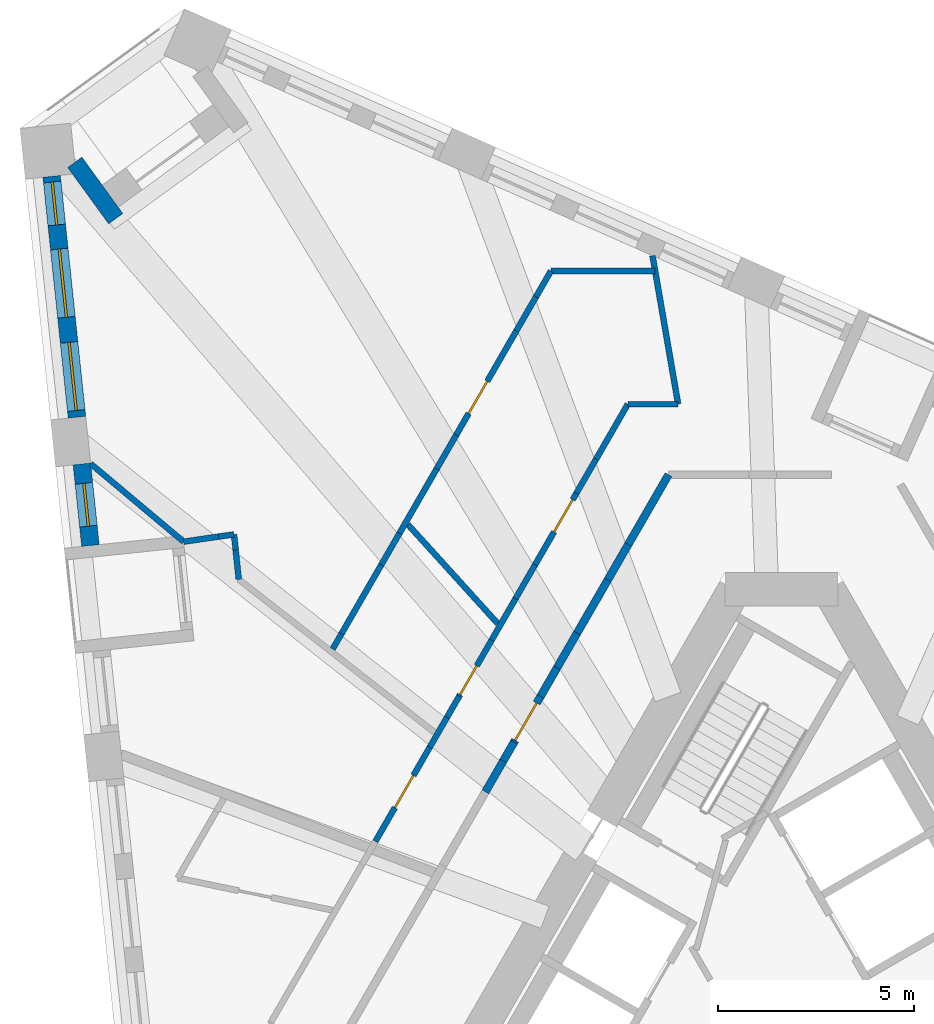
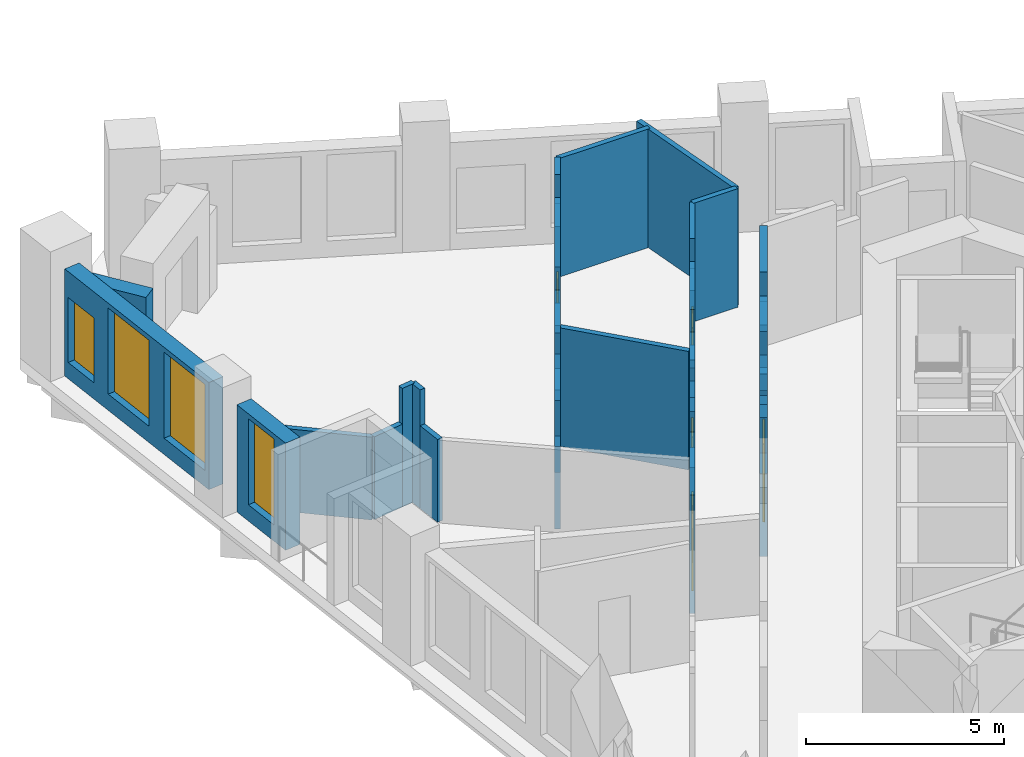
# One storey, part 7 of 14: 37 walls, 5 doors, 4 windows, 9 openings.
"""IFC4 building model written with IfcOpenShell, lengths in metres."""

from ifc_helpers import new_model, si_unit, direction, frame, frame_2d, origin, place, context, subcontext, project, spatial, polyline, rectangle, outline, extrude, material, layer, layer_set, type_object, element, fill, save


model = new_model("IFC4")

# Units and contexts
model_context = context("Model", 3, precision=1e-05, world=origin(), true_north=direction((0.0, 1.0)))
body_context = subcontext(model_context, "Body", "Model", "MODEL_VIEW")
ifc_project = project(units=[si_unit("LENGTHUNIT", "METRE"), si_unit("AREAUNIT", "SQUARE_METRE"), si_unit("VOLUMEUNIT", "CUBIC_METRE"), si_unit("PLANEANGLEUNIT", "RADIAN"), si_unit("MASSUNIT", "GRAM", prefix="KILO")], contexts=[model_context])

# Site, building, storey
site_placement = place(None, origin())
site = spatial("IfcSite", under=ifc_project, at=site_placement, CompositionType="ELEMENT")
building_placement = place(site_placement, origin())
building = spatial("IfcBuilding", under=site, at=building_placement, Name="Tramontana Tower", CompositionType="ELEMENT")
storey_placement = place(building_placement, frame((0.0, 0.0, 186.800048828125)))
storey = spatial("IfcBuildingStorey", under=building, at=storey_placement, Name="L43", CompositionType="ELEMENT", Elevation=186.800048828125)

# Walls
ifc_material_1 = material(Name="Blockwork", Category="masonry")
ifc_layer_1 = layer(ifc_material_1, 0.199951171875)
ifc_layer_set_1 = layer_set([ifc_layer_1], Name="ENTRY WALL 200")
wall_type_1 = type_object("IfcWallType", Name="ENTRY WALL 200", PredefinedType="SOLIDWALL", material=ifc_layer_set_1)
wall_1_placement = place(storey_placement, frame((-7.561279296875, 5.403564453125, 0.0), z_axis=(0.0, 0.0, 1.0), x_axis=(0.499977996243, 0.866038107287, 0.0)))
element("IfcWall", 1, at=wall_1_placement, inside=storey, type_object=wall_type_1, Name="Wall v42-ew4-5", PredefinedType="SOLIDWALL", context=body_context, shape_type="SweptSolid", body=[
    extrude(rectangle(XDim=0.90966796875, YDim=0.199951171875, at=frame_2d((0.454833984375, 0.0))), origin(), (0.0, 0.0, 1.0), 2.550048828125),
])
wall_2_placement = place(storey_placement, frame((-7.1064453125, 6.19140625, 0.0), z_axis=(0.0, 0.0, 1.0), x_axis=(0.499986818241, 0.866033014143, 0.0)))
element("IfcWall", 2, at=wall_2_placement, inside=storey, type_object=wall_type_1, Name="Wall v42-ew4-6", PredefinedType="SOLIDWALL", context=body_context, shape_type="SweptSolid", body=[
    extrude(rectangle(XDim=0.5595703125, YDim=0.199951171875, at=frame_2d((0.27978515625, 0.0))), origin(), (0.0, 0.0, 1.0), 3.64990234375),
])

# Wall, opening, door
wall_3_placement = place(storey_placement, frame((-6.82666015625, 6.676025390625, 0.0), z_axis=(0.0, 0.0, 1.0), x_axis=(0.500062873969, 0.865989100438, 0.0)))
wall_3 = element("IfcWall", 3, at=wall_3_placement, inside=storey, type_object=wall_type_1, Name="Wall v42-ew4-7", PredefinedType="SOLIDWALL", context=body_context, shape_type="SweptSolid", body=[
    extrude(outline(polyline([(0.0, 0.0), (1.344970703125, 0.0), (1.344970703125, 2.550048828125), (0.391357421875, 2.550048828125), (0.391357421875, 3.64990234375), (0.0, 3.64990234375), (0.0, 0.0)])), frame((0.0, 0.10009765625, 0.0), z_axis=(0.0, -1.0, 0.0), x_axis=(1.0, 0.0, 0.0)), (0.0, 0.0, 1.0), 0.199951171875),
])
opening_1_placement = place(wall_3_placement, frame((0.050048828125, 0.0, 0.0)))
opening_1 = element("IfcOpeningElement", 4, at=opening_1_placement, cuts=wall_3, Name="Opening B4C-19", PredefinedType="OPENING", context=body_context, shape_type="SweptSolid", body=[
    extrude(rectangle(XDim=1.10009765625, YDim=2.39990234375, at=frame_2d((0.550048828125, 1.199951171875))), frame((0.0, 0.10986328125, 0.0), z_axis=(0.0, -1.0, 0.0), x_axis=(1.0, 0.0, 0.0)), (0.0, 0.0, 1.0), 0.219970703125),
])
ifc_material_2 = material(Name="Painted timber", Category="wood")
door_type_1 = type_object("IfcDoorType", Name="DOOR ENTRY 1100", OperationType="SINGLE_SWING_LEFT", PredefinedType="DOOR", material=ifc_material_2)
door_1_placement = place(opening_1_placement, origin())
door_1 = element("IfcDoor", 5, at=door_1_placement, inside=storey, type_object=door_type_1, Name="Door B4C-19", OperationType="SINGLE_SWING_LEFT", OverallHeight=2.39990234375, OverallWidth=1.10009765625, PredefinedType="DOOR", context=body_context, shape_type="SweptSolid", body=[
    extrude(rectangle(XDim=1.10009765625, YDim=2.39990234375, at=frame_2d((0.550048828125, 1.199951171875))), frame((0.0, 0.02490234375, 0.0), z_axis=(0.0, -1.0, 0.0), x_axis=(1.0, 0.0, 0.0)), (0.0, 0.0, 1.0), 0.050048828125),
])
fill(opening_1, door_1)

# Walls
wall_4_placement = place(storey_placement, frame((-6.154052734375, 7.8408203125, 0.0), z_axis=(0.0, 0.0, 1.0), x_axis=(0.499822960955, 0.8661275932, 0.0)))
element("IfcWall", 6, at=wall_4_placement, inside=storey, type_object=wall_type_1, Name="Wall v42-ew4-8", PredefinedType="SOLIDWALL", context=body_context, shape_type="SweptSolid", body=[
    extrude(rectangle(XDim=0.841064453125, YDim=0.199951171875, at=frame_2d((0.42041015625, 0.0))), origin(), (0.0, 0.0, 1.0), 3.64990234375),
])
wall_5_placement = place(storey_placement, frame((-5.733642578125, 8.5693359375, 0.0), z_axis=(0.0, 0.0, 1.0), x_axis=(0.500079402778, 0.865979555715, 0.0)))
element("IfcWall", 7, at=wall_5_placement, inside=storey, type_object=wall_type_1, Name="Wall v42-ew4-9", PredefinedType="SOLIDWALL", context=body_context, shape_type="SweptSolid", body=[
    extrude(rectangle(XDim=1.026123046875, YDim=0.199951171875, at=frame_2d((0.51318359375, 0.0))), origin(), (0.0, 0.0, 1.0), 2.550048828125),
])
wall_6_placement = place(storey_placement, frame((-5.220458984375, 9.4580078125, 0.0), z_axis=(0.0, 0.0, 1.0), x_axis=(0.500031717574, 0.86600709086, 0.0)))
element("IfcWall", 8, at=wall_6_placement, inside=storey, type_object=wall_type_1, Name="Wall v42-ew4-10", PredefinedType="SOLIDWALL", context=body_context, shape_type="SweptSolid", body=[
    extrude(rectangle(XDim=1.57177734375, YDim=0.199951171875, at=frame_2d((0.785888671875, 0.0))), origin(), (0.0, 0.0, 1.0), 3.64990234375),
])
wall_7_placement = place(storey_placement, frame((-4.4345703125, 10.819091796875, 0.0), z_axis=(0.0, 0.0, 1.0), x_axis=(0.500054530113, 0.86599391852, 0.0)))
element("IfcWall", 9, at=wall_7_placement, inside=storey, type_object=wall_type_1, Name="Wall v42-ew4-11", PredefinedType="SOLIDWALL", context=body_context, shape_type="SweptSolid", body=[
    extrude(rectangle(XDim=1.03955078125, YDim=0.199951171875, at=frame_2d((0.519775390625, 0.0))), origin(), (0.0, 0.0, 1.0), 2.75),
])
wall_8_placement = place(storey_placement, frame((-3.914794921875, 11.71923828125, 0.0), z_axis=(0.0, 0.0, 1.0), x_axis=(0.499982825521, 0.866035319247, 0.0)))
element("IfcWall", 10, at=wall_8_placement, inside=storey, type_object=wall_type_1, Name="Wall v42-ew4-12", PredefinedType="SOLIDWALL", context=body_context, shape_type="SweptSolid", body=[
    extrude(rectangle(XDim=2.05615234375, YDim=0.199951171875, at=frame_2d((1.028076171875, 0.0))), origin(), (0.0, 0.0, 1.0), 3.64990234375),
])

# Wall, openings, windows
ifc_material_3 = material(Name="Precast concrete 60 MPa", Category="concrete")
ifc_layer_2 = layer(ifc_material_3, 0.449951171875)
ifc_layer_set_2 = layer_set([ifc_layer_2], Name="Precast concrete 60 MPa, 450 mm")
wall_type_2 = type_object("IfcWallType", Name="EW1 Stone-faced precast wall 450", PredefinedType="SOLIDWALL", material=ifc_layer_set_2)
wall_9_placement = place(storey_placement, frame((-18.63427734375, 21.116455078125, 0.0), z_axis=(0.0, 0.0, 1.0), x_axis=(0.104522399115, -0.994522532718, 0.0)))
wall_9 = element("IfcWall", 11, at=wall_9_placement, inside=storey, type_object=wall_type_2, Name="External wall L43 face 0 bay 1", PredefinedType="SOLIDWALL", context=body_context, shape_type="SweptSolid", body=[
    extrude(rectangle(XDim=6.182861328125, YDim=0.449951171875, at=frame_2d((3.09130859375, 0.0))), origin(), (0.0, 0.0, 1.0), 3.300048828125),
])
opening_2_placement = place(wall_9_placement, frame((0.147216796875, 0.0, 0.5)))
opening_2 = element("IfcOpeningElement", 12, at=opening_2_placement, cuts=wall_9, Name="Opening N2L", PredefinedType="OPENING", context=body_context, shape_type="SweptSolid", body=[
    extrude(rectangle(XDim=1.10009765625, YDim=2.0, at=frame_2d((0.550048828125, 1.0))), frame((0.0, 0.23486328125, 0.0), z_axis=(0.0, -1.0, 0.0), x_axis=(1.0, 0.0, 0.0)), (0.0, 0.0, 1.0), 0.469970703125),
])
opening_3_placement = place(wall_9_placement, frame((1.866455078125, 0.0, 0.5)))
opening_3 = element("IfcOpeningElement", 13, at=opening_3_placement, cuts=wall_9, Name="Opening M2", PredefinedType="OPENING", context=body_context, shape_type="SweptSolid", body=[
    extrude(rectangle(XDim=1.75, YDim=2.64990234375, at=frame_2d((0.875, 1.324951171875))), frame((0.0, 0.23486328125, 0.0), z_axis=(0.0, -1.0, 0.0), x_axis=(1.0, 0.0, 0.0)), (0.0, 0.0, 1.0), 0.469970703125),
])
opening_4_placement = place(wall_9_placement, frame((4.2607421875, 0.0, 0.5)))
opening_4 = element("IfcOpeningElement", 14, at=opening_4_placement, cuts=wall_9, Name="Opening M2", PredefinedType="OPENING", context=body_context, shape_type="SweptSolid", body=[
    extrude(rectangle(XDim=1.75, YDim=2.64990234375, at=frame_2d((0.875, 1.324951171875))), frame((0.0, 0.23486328125, 0.0), z_axis=(0.0, -1.0, 0.0), x_axis=(1.0, 0.0, 0.0)), (0.0, 0.0, 1.0), 0.469970703125),
])
ifc_material_4 = material(Name="Aluminum frame, double glazing unit", Category="aluminium")
window_type_1 = type_object("IfcWindowType", Name="M2 Window 1.75 x 2.65", PartitioningType="SINGLE_PANEL", PredefinedType="WINDOW", material=ifc_material_4)
window_1_placement = place(opening_3_placement, origin())
window_1 = element("IfcWindow", 15, at=window_1_placement, inside=storey, type_object=window_type_1, Name="Window M2 L43 face 0 module 2", OverallHeight=2.64990234375, OverallWidth=1.75, PartitioningType="SINGLE_PANEL", PredefinedType="WINDOW", context=body_context, shape_type="SweptSolid", body=[
    extrude(rectangle(XDim=1.75, YDim=2.64990234375, at=frame_2d((0.875, 1.324951171875))), frame((0.0, 0.030029296875, 0.0), z_axis=(0.0, -1.0, 0.0), x_axis=(1.0, 0.0, 0.0)), (0.0, 0.0, 1.0), 0.06005859375),
])
fill(opening_3, window_1)
window_2_placement = place(opening_4_placement, origin())
window_2 = element("IfcWindow", 16, at=window_2_placement, inside=storey, type_object=window_type_1, Name="Window M2 L43 face 0 module 3", OverallHeight=2.64990234375, OverallWidth=1.75, PartitioningType="SINGLE_PANEL", PredefinedType="WINDOW", context=body_context, shape_type="SweptSolid", body=[
    extrude(rectangle(XDim=1.75, YDim=2.64990234375, at=frame_2d((0.875, 1.324951171875))), frame((0.0, 0.030029296875, 0.0), z_axis=(0.0, -1.0, 0.0), x_axis=(1.0, 0.0, 0.0)), (0.0, 0.0, 1.0), 0.06005859375),
])
fill(opening_4, window_2)
ifc_material_5 = material(Name="Aluminum frame, double glazing unit", Category="aluminium")
window_type_2 = type_object("IfcWindowType", Name="N2L Window 1.1 x 2", PartitioningType="SINGLE_PANEL", PredefinedType="WINDOW", material=ifc_material_5)
window_3_placement = place(opening_2_placement, origin())
window_3 = element("IfcWindow", 17, at=window_3_placement, inside=storey, type_object=window_type_2, Name="Window N2L L43 face 0 module 1", OverallHeight=2.0, OverallWidth=1.10009765625, PartitioningType="SINGLE_PANEL", PredefinedType="WINDOW", context=body_context, shape_type="SweptSolid", body=[
    extrude(rectangle(XDim=1.10009765625, YDim=2.0, at=frame_2d((0.550048828125, 1.0))), frame((0.0, 0.030029296875, 0.0), z_axis=(0.0, -1.0, 0.0), x_axis=(1.0, 0.0, 0.0)), (0.0, 0.0, 1.0), 0.06005859375),
])
fill(opening_2, window_3)

# Wall, opening, window
wall_10_placement = place(storey_placement, frame((-17.862548828125, 13.774169921875, 0.0), z_axis=(0.0, 0.0, 1.0), x_axis=(0.104442071108, -0.994530971756, 0.0)))
wall_10 = element("IfcWall", 18, at=wall_10_placement, inside=storey, type_object=wall_type_2, Name="External wall L43 face 0 bay 2", PredefinedType="SOLIDWALL", context=body_context, shape_type="SweptSolid", body=[
    extrude(rectangle(XDim=2.094482421875, YDim=0.449951171875, at=frame_2d((1.04736328125, 0.0))), origin(), (0.0, 0.0, 1.0), 3.300048828125),
])
opening_5_placement = place(wall_10_placement, frame((0.4970703125, 0.0, 0.5)))
opening_5 = element("IfcOpeningElement", 19, at=opening_5_placement, cuts=wall_10, Name="Opening N2", PredefinedType="OPENING", context=body_context, shape_type="SweptSolid", body=[
    extrude(rectangle(XDim=1.10009765625, YDim=2.64990234375, at=frame_2d((0.550048828125, 1.324951171875))), frame((0.0, 0.23486328125, 0.0), z_axis=(0.0, -1.0, 0.0), x_axis=(1.0, 0.0, 0.0)), (0.0, 0.0, 1.0), 0.469970703125),
])
ifc_material_6 = material(Name="Aluminum frame, double glazing unit", Category="aluminium")
window_type_3 = type_object("IfcWindowType", Name="N2 Window 1.1 x 2.65", PartitioningType="SINGLE_PANEL", PredefinedType="WINDOW", material=ifc_material_6)
window_4_placement = place(opening_5_placement, origin())
window_4 = element("IfcWindow", 20, at=window_4_placement, inside=storey, type_object=window_type_3, Name="Window N2 L43 face 0 module 4", OverallHeight=2.64990234375, OverallWidth=1.10009765625, PartitioningType="SINGLE_PANEL", PredefinedType="WINDOW", context=body_context, shape_type="SweptSolid", body=[
    extrude(rectangle(XDim=1.10009765625, YDim=2.64990234375, at=frame_2d((0.550048828125, 1.324951171875))), frame((0.0, 0.030029296875, 0.0), z_axis=(0.0, -1.0, 0.0), x_axis=(1.0, 0.0, 0.0)), (0.0, 0.0, 1.0), 0.06005859375),
])
fill(opening_5, window_4)

# Walls
wall_11_placement = place(storey_placement, frame((-18.04345703125, 21.474853515625, 0.0), z_axis=(0.0, 0.0, 1.0), x_axis=(0.587722853316, -0.809062326209, 0.0)))
element("IfcWall", 21, at=wall_11_placement, inside=storey, type_object=wall_type_2, Name="Corner loggia side wall L43 K40l", PredefinedType="SOLIDWALL", context=body_context, shape_type="SweptSolid", body=[
    extrude(rectangle(XDim=1.779052734375, YDim=0.449951171875, at=frame_2d((0.8896484375, 0.0))), origin(), (0.0, 0.0, 1.0), 2.550048828125),
])
ifc_material_7 = material(Name="Gypsum board partition")
ifc_layer_3 = layer(ifc_material_7, 0.14990234375)
ifc_layer_set_3 = layer_set([ifc_layer_3], Name="PARTITION 150")
wall_type_3 = type_object("IfcWallType", Name="PARTITION 150", PredefinedType="PARTITIONING", material=ifc_layer_set_3)
wall_12_placement = place(storey_placement, frame((-15.26611328125, 11.790283203125, 0.0), z_axis=(0.0, 0.0, 1.0), x_axis=(-0.766063729465, 0.642764624414, 0.0)))
element("IfcWall", 22, at=wall_12_placement, inside=storey, type_object=wall_type_3, Name="Wall v42-pw01-0", PredefinedType="PARTITIONING", context=body_context, shape_type="SweptSolid", body=[
    extrude(rectangle(XDim=3.0947265625, YDim=0.14990234375, at=frame_2d((1.54736328125, 0.0))), origin(), (0.0, 0.0, 1.0), 2.550048828125),
])

# Wall, opening, door
wall_13_placement = place(storey_placement, frame((-10.369384765625, 4.1396484375, 0.0), z_axis=(0.0, 0.0, 1.0), x_axis=(0.50000932403, 0.866020020486, 0.0)))
wall_13 = element("IfcWall", 23, at=wall_13_placement, inside=storey, type_object=wall_type_3, Name="Wall v42-pw02-4", PredefinedType="PARTITIONING", context=body_context, shape_type="SweptSolid", body=[
    extrude(rectangle(XDim=2.77490234375, YDim=0.14990234375, at=frame_2d((1.387451171875, 0.0))), origin(), (0.0, 0.0, 1.0), 3.64990234375),
])
opening_6_placement = place(wall_13_placement, frame((0.993896484375, 0.0, 0.0)))
opening_6 = element("IfcOpeningElement", 24, at=opening_6_placement, cuts=wall_13, Name="Opening B4C-04", PredefinedType="OPENING", context=body_context, shape_type="SweptSolid", body=[
    extrude(rectangle(XDim=0.949951171875, YDim=2.39990234375, at=frame_2d((0.47509765625, 1.199951171875))), frame((0.0, 0.0849609375, 0.0), z_axis=(0.0, -1.0, 0.0), x_axis=(1.0, 0.0, 0.0)), (0.0, 0.0, 1.0), 0.169921875),
])
ifc_material_8 = material(Name="Painted timber", Category="wood")
door_type_2 = type_object("IfcDoorType", Name="DOOR ROOM 950", OperationType="SINGLE_SWING_LEFT", PredefinedType="DOOR", material=ifc_material_8)
door_2_placement = place(opening_6_placement, origin())
door_2 = element("IfcDoor", 25, at=door_2_placement, inside=storey, type_object=door_type_2, Name="Door B4C-04", OperationType="SINGLE_SWING_RIGHT", OverallHeight=2.39990234375, OverallWidth=0.949951171875, PredefinedType="DOOR", context=body_context, shape_type="SweptSolid", body=[
    extrude(rectangle(XDim=0.949951171875, YDim=2.39990234375, at=frame_2d((0.47509765625, 1.199951171875))), frame((0.0, 0.02490234375, 0.0), z_axis=(0.0, -1.0, 0.0), x_axis=(1.0, 0.0, 0.0)), (0.0, 0.0, 1.0), 0.050048828125),
])
fill(opening_6, door_2)

# Walls
wall_14_placement = place(storey_placement, frame((-8.98193359375, 6.542724609375, 0.0), z_axis=(0.0, 0.0, 1.0), x_axis=(0.499969398072, 0.866043071095, 0.0)))
element("IfcWall", 26, at=wall_14_placement, inside=storey, type_object=wall_type_3, Name="Wall v42-pw02-5", PredefinedType="PARTITIONING", context=body_context, shape_type="SweptSolid", body=[
    extrude(rectangle(XDim=0.88427734375, YDim=0.14990234375, at=frame_2d((0.442138671875, 0.0))), origin(), (0.0, 0.0, 1.0), 2.550048828125),
])
wall_15_placement = place(storey_placement, frame((-8.539794921875, 7.30859375, 0.0), z_axis=(0.0, 0.0, 1.0), x_axis=(0.500007577232, 0.866021029023, 0.0)))
element("IfcWall", 27, at=wall_15_placement, inside=storey, type_object=wall_type_3, Name="Wall v42-pw02-6", PredefinedType="PARTITIONING", context=body_context, shape_type="SweptSolid", body=[
    extrude(rectangle(XDim=0.61767578125, YDim=0.14990234375, at=frame_2d((0.308837890625, 0.0))), origin(), (0.0, 0.0, 1.0), 3.64990234375),
])

# Wall, opening, door
wall_16_placement = place(storey_placement, frame((-8.23095703125, 7.843505859375, 0.0), z_axis=(0.0, 0.0, 1.0), x_axis=(0.499952654668, 0.866052736899, 0.0)))
wall_16 = element("IfcWall", 28, at=wall_16_placement, inside=storey, type_object=wall_type_3, Name="Wall v42-pw02-7", PredefinedType="PARTITIONING", context=body_context, shape_type="SweptSolid", body=[
    extrude(outline(polyline([(0.0, 0.0), (1.652587890625, 0.0), (1.652587890625, 2.550048828125), (0.7255859375, 2.550048828125), (0.7255859375, 3.64990234375), (0.0, 3.64990234375), (0.0, 0.0)])), frame((0.0, 0.074951171875, 0.0), z_axis=(0.0, -1.0, 0.0), x_axis=(1.0, 0.0, 0.0)), (0.0, 0.0, 1.0), 0.14990234375),
])
opening_7_placement = place(wall_16_placement, frame((0.050048828125, 0.0, 0.0)))
opening_7 = element("IfcOpeningElement", 29, at=opening_7_placement, cuts=wall_16, Name="Opening B4C-02", PredefinedType="OPENING", context=body_context, shape_type="SweptSolid", body=[
    extrude(rectangle(XDim=0.85009765625, YDim=2.39990234375, at=frame_2d((0.425048828125, 1.199951171875))), frame((0.0, 0.0849609375, 0.0), z_axis=(0.0, -1.0, 0.0), x_axis=(1.0, 0.0, 0.0)), (0.0, 0.0, 1.0), 0.169921875),
])
ifc_material_9 = material(Name="Painted timber", Category="wood")
door_type_3 = type_object("IfcDoorType", Name="DOOR BATH 850", OperationType="SINGLE_SWING_LEFT", PredefinedType="DOOR", material=ifc_material_9)
door_3_placement = place(opening_7_placement, origin())
door_3 = element("IfcDoor", 30, at=door_3_placement, inside=storey, type_object=door_type_3, Name="Door B4C-02", OperationType="SINGLE_SWING_RIGHT", OverallHeight=2.39990234375, OverallWidth=0.85009765625, PredefinedType="DOOR", context=body_context, shape_type="SweptSolid", body=[
    extrude(rectangle(XDim=0.85009765625, YDim=2.39990234375, at=frame_2d((0.425048828125, 1.199951171875))), frame((0.0, 0.02490234375, 0.0), z_axis=(0.0, -1.0, 0.0), x_axis=(1.0, 0.0, 0.0)), (0.0, 0.0, 1.0), 0.050048828125),
])
fill(opening_7, door_3)

# Walls
wall_17_placement = place(storey_placement, frame((-7.40478515625, 9.274658203125, 0.0), z_axis=(0.0, 0.0, 1.0), x_axis=(0.500061746146, 0.865989751695, 0.0)))
element("IfcWall", 31, at=wall_17_placement, inside=storey, type_object=wall_type_3, Name="Wall v42-pw02-8", PredefinedType="PARTITIONING", context=body_context, shape_type="SweptSolid", body=[
    extrude(rectangle(XDim=1.224853515625, YDim=0.14990234375, at=frame_2d((0.6123046875, 0.0))), origin(), (0.0, 0.0, 1.0), 3.64990234375),
])
wall_18_placement = place(storey_placement, frame((-6.792236328125, 10.33544921875, 0.0), z_axis=(0.0, 0.0, 1.0), x_axis=(0.499849532436, 0.866112258846, 0.0)))
element("IfcWall", 32, at=wall_18_placement, inside=storey, type_object=wall_type_3, Name="Wall v42-pw02-9", PredefinedType="PARTITIONING", context=body_context, shape_type="SweptSolid", body=[
    extrude(rectangle(XDim=0.997802734375, YDim=0.14990234375, at=frame_2d((0.4990234375, 0.0))), origin(), (0.0, 0.0, 1.0), 2.550048828125),
])

# Wall, opening, door
wall_19_placement = place(storey_placement, frame((-6.29345703125, 11.19970703125, 0.0), z_axis=(0.0, 0.0, 1.0), x_axis=(0.500073154421, 0.86598316394, 0.0)))
wall_19 = element("IfcWall", 33, at=wall_19_placement, inside=storey, type_object=wall_type_3, Name="Wall v42-pw02-10", PredefinedType="PARTITIONING", context=body_context, shape_type="SweptSolid", body=[
    extrude(rectangle(XDim=2.109130859375, YDim=0.14990234375, at=frame_2d((1.0546875, 0.0))), origin(), (0.0, 0.0, 1.0), 3.64990234375),
])
opening_8_placement = place(wall_19_placement, frame((0.971435546875, 0.0, 0.0)))
opening_8 = element("IfcOpeningElement", 34, at=opening_8_placement, cuts=wall_19, Name="Opening B4C-01", PredefinedType="OPENING", context=body_context, shape_type="SweptSolid", body=[
    extrude(rectangle(XDim=0.949951171875, YDim=2.39990234375, at=frame_2d((0.47509765625, 1.199951171875))), frame((0.0, 0.0849609375, 0.0), z_axis=(0.0, -1.0, 0.0), x_axis=(1.0, 0.0, 0.0)), (0.0, 0.0, 1.0), 0.169921875),
])
door_4_placement = place(opening_8_placement, origin())
door_4 = element("IfcDoor", 35, at=door_4_placement, inside=storey, type_object=door_type_2, Name="Door B4C-01", OperationType="SINGLE_SWING_LEFT", OverallHeight=2.39990234375, OverallWidth=0.949951171875, PredefinedType="DOOR", context=body_context, shape_type="SweptSolid", body=[
    extrude(rectangle(XDim=0.949951171875, YDim=2.39990234375, at=frame_2d((0.47509765625, 1.199951171875))), frame((0.0, 0.02490234375, 0.0), z_axis=(0.0, -1.0, 0.0), x_axis=(1.0, 0.0, 0.0)), (0.0, 0.0, 1.0), 0.050048828125),
])
fill(opening_8, door_4)

# Walls
wall_20_placement = place(storey_placement, frame((-5.23876953125, 13.026123046875, 0.0), z_axis=(0.0, 0.0, 1.0), x_axis=(0.499946326053, 0.866056390234, 0.0)))
element("IfcWall", 36, at=wall_20_placement, inside=storey, type_object=wall_type_3, Name="Wall v42-pw02-11", PredefinedType="PARTITIONING", context=body_context, shape_type="SweptSolid", body=[
    extrude(rectangle(XDim=1.0068359375, YDim=0.14990234375, at=frame_2d((0.50341796875, 0.0))), origin(), (0.0, 0.0, 1.0), 2.75),
])
wall_21_placement = place(storey_placement, frame((-4.7353515625, 13.898193359375, 0.0), z_axis=(0.0, 0.0, 1.0), x_axis=(0.499983569942, 0.866034889475, 0.0)))
element("IfcWall", 37, at=wall_21_placement, inside=storey, type_object=wall_type_3, Name="Wall v42-pw02-12", PredefinedType="PARTITIONING", context=body_context, shape_type="SweptSolid", body=[
    extrude(rectangle(XDim=1.61865234375, YDim=0.14990234375, at=frame_2d((0.809326171875, 0.0))), origin(), (0.0, 0.0, 1.0), 3.64990234375),
])
wall_22_placement = place(storey_placement, frame((-13.980224609375, 11.97607421875, 0.0), z_axis=(0.0, 0.0, 1.0), x_axis=(-0.989726419038, -0.142974177594, 0.0)))
element("IfcWall", 38, at=wall_22_placement, inside=storey, type_object=wall_type_3, Name="Wall v42-pw04-0", PredefinedType="PARTITIONING", context=body_context, shape_type="SweptSolid", body=[
    extrude(rectangle(XDim=0.396240234375, YDim=0.14990234375, at=frame_2d((0.1982421875, 0.0))), origin(), (0.0, 0.0, 1.0), 3.64990234375),
])
wall_23_placement = place(storey_placement, frame((-14.372314453125, 11.91943359375, 0.0), z_axis=(0.0, 0.0, 1.0), x_axis=(-0.989721130338, -0.143010783379, 0.0)))
element("IfcWall", 39, at=wall_23_placement, inside=storey, type_object=wall_type_3, Name="Wall v42-pw04-1", PredefinedType="PARTITIONING", context=body_context, shape_type="SweptSolid", body=[
    extrude(rectangle(XDim=0.903076171875, YDim=0.14990234375, at=frame_2d((0.45166015625, 0.0))), origin(), (0.0, 0.0, 1.0), 2.550048828125),
])
wall_24_placement = place(storey_placement, frame((-13.857421875, 10.82666015625, 0.0), z_axis=(0.0, 0.0, 1.0), x_axis=(-0.104549570968, 0.994519676633, 0.0)))
element("IfcWall", 40, at=wall_24_placement, inside=storey, type_object=wall_type_3, Name="Wall v42-pw05-0", PredefinedType="PARTITIONING", context=body_context, shape_type="SweptSolid", body=[
    extrude(rectangle(XDim=0.751953125, YDim=0.14990234375, at=frame_2d((0.3759765625, 0.0))), origin(), (0.0, 0.0, 1.0), 2.550048828125),
])
wall_25_placement = place(storey_placement, frame((-13.93603515625, 11.574462890625, 0.0), z_axis=(0.0, 0.0, 1.0), x_axis=(-0.104495033746, 0.994525408385, 0.0)))
element("IfcWall", 41, at=wall_25_placement, inside=storey, type_object=wall_type_3, Name="Wall v42-pw05-1", PredefinedType="PARTITIONING", context=body_context, shape_type="SweptSolid", body=[
    extrude(rectangle(XDim=0.40185546875, YDim=0.14990234375, at=frame_2d((0.200927734375, 0.0))), origin(), (0.0, 0.0, 1.0), 3.64990234375),
])
wall_26_placement = place(storey_placement, frame((-11.460693359375, 9.049560546875, 0.0), z_axis=(0.0, 0.0, 1.0), x_axis=(0.500160228243, 0.8659328762, 0.0)))
element("IfcWall", 42, at=wall_26_placement, inside=storey, type_object=wall_type_3, Name="Wall v42-pw08-0", PredefinedType="PARTITIONING", context=body_context, shape_type="SweptSolid", body=[
    extrude(rectangle(XDim=0.450439453125, YDim=0.14990234375, at=frame_2d((0.22509765625, 0.0))), origin(), (0.0, 0.0, 1.0), 2.550048828125),
])
wall_27_placement = place(storey_placement, frame((-11.2353515625, 9.439697265625, 0.0), z_axis=(0.0, 0.0, 1.0), x_axis=(0.500009753642, 0.866019772443, 0.0)))
element("IfcWall", 43, at=wall_27_placement, inside=storey, type_object=wall_type_3, Name="Wall v42-pw08-1", PredefinedType="PARTITIONING", context=body_context, shape_type="SweptSolid", body=[
    extrude(rectangle(XDim=2.03515625, YDim=0.14990234375, at=frame_2d((1.017578125, 0.0))), origin(), (0.0, 0.0, 1.0), 3.64990234375),
])
wall_28_placement = place(storey_placement, frame((-10.2177734375, 11.2021484375, 0.0), z_axis=(0.0, 0.0, 1.0), x_axis=(0.499935264145, 0.866062775822, 0.0)))
element("IfcWall", 44, at=wall_28_placement, inside=storey, type_object=wall_type_3, Name="Wall v42-pw08-2", PredefinedType="PARTITIONING", context=body_context, shape_type="SweptSolid", body=[
    extrude(rectangle(XDim=0.9267578125, YDim=0.14990234375, at=frame_2d((0.46337890625, 0.0))), origin(), (0.0, 0.0, 1.0), 2.550048828125),
])
wall_29_placement = place(storey_placement, frame((-9.75439453125, 12.0048828125, 0.0), z_axis=(0.0, 0.0, 1.0), x_axis=(0.499971120268, 0.866042076863, 0.0)))
element("IfcWall", 45, at=wall_29_placement, inside=storey, type_object=wall_type_3, Name="Wall v42-pw08-3", PredefinedType="PARTITIONING", context=body_context, shape_type="SweptSolid", body=[
    extrude(rectangle(XDim=1.89794921875, YDim=0.14990234375, at=frame_2d((0.948974609375, 0.0))), origin(), (0.0, 0.0, 1.0), 3.64990234375),
])
wall_30_placement = place(storey_placement, frame((-8.805419921875, 13.648681640625, 0.0), z_axis=(0.0, 0.0, 1.0), x_axis=(0.499955472713, 0.866051110099, 0.0)))
element("IfcWall", 46, at=wall_30_placement, inside=storey, type_object=wall_type_3, Name="Wall v42-pw08-4", PredefinedType="PARTITIONING", context=body_context, shape_type="SweptSolid", body=[
    extrude(rectangle(XDim=0.99755859375, YDim=0.14990234375, at=frame_2d((0.498779296875, 0.0))), origin(), (0.0, 0.0, 1.0), 2.550048828125),
])

# Wall, opening, door
wall_31_placement = place(storey_placement, frame((-8.306640625, 14.5126953125, 0.0), z_axis=(0.0, 0.0, 1.0), x_axis=(0.500034855457, 0.866005279042, 0.0)))
wall_31 = element("IfcWall", 47, at=wall_31_placement, inside=storey, type_object=wall_type_3, Name="Wall v42-pw08-5", PredefinedType="PARTITIONING", context=body_context, shape_type="SweptSolid", body=[
    extrude(rectangle(XDim=3.066650390625, YDim=0.14990234375, at=frame_2d((1.533203125, 0.0))), origin(), (0.0, 0.0, 1.0), 3.64990234375),
])
opening_9_placement = place(wall_31_placement, frame((0.636962890625, 0.0, 0.0)))
opening_9 = element("IfcOpeningElement", 48, at=opening_9_placement, cuts=wall_31, Name="Opening B4C-18", PredefinedType="OPENING", context=body_context, shape_type="SweptSolid", body=[
    extrude(rectangle(XDim=0.949951171875, YDim=2.39990234375, at=frame_2d((0.47509765625, 1.199951171875))), frame((0.0, 0.0849609375, 0.0), z_axis=(0.0, -1.0, 0.0), x_axis=(1.0, 0.0, 0.0)), (0.0, 0.0, 1.0), 0.169921875),
])
door_5_placement = place(opening_9_placement, origin())
door_5 = element("IfcDoor", 49, at=door_5_placement, inside=storey, type_object=door_type_2, Name="Door B4C-18", OperationType="SINGLE_SWING_RIGHT", OverallHeight=2.39990234375, OverallWidth=0.949951171875, PredefinedType="DOOR", context=body_context, shape_type="SweptSolid", body=[
    extrude(rectangle(XDim=0.949951171875, YDim=2.39990234375, at=frame_2d((0.47509765625, 1.199951171875))), frame((0.0, 0.02490234375, 0.0), z_axis=(0.0, -1.0, 0.0), x_axis=(1.0, 0.0, 0.0)), (0.0, 0.0, 1.0), 0.050048828125),
])
fill(opening_9, door_5)

# Walls
wall_32_placement = place(storey_placement, frame((-6.773193359375, 17.16845703125, 0.0), z_axis=(0.0, 0.0, 1.0), x_axis=(0.500051323872, 0.865995769906, 0.0)))
element("IfcWall", 50, at=wall_32_placement, inside=storey, type_object=wall_type_3, Name="Wall v42-pw08-6", PredefinedType="PARTITIONING", context=body_context, shape_type="SweptSolid", body=[
    extrude(rectangle(XDim=1.0068359375, YDim=0.14990234375, at=frame_2d((0.50341796875, 0.0))), origin(), (0.0, 0.0, 1.0), 2.75),
])
wall_33_placement = place(storey_placement, frame((-6.269775390625, 18.040283203125, 0.0), z_axis=(0.0, 0.0, 1.0), x_axis=(0.499999897272, 0.866025463095, 0.0)))
element("IfcWall", 51, at=wall_33_placement, inside=storey, type_object=wall_type_3, Name="Wall v42-pw08-7", PredefinedType="PARTITIONING", context=body_context, shape_type="SweptSolid", body=[
    extrude(rectangle(XDim=0.76171875, YDim=0.14990234375, at=frame_2d((0.380859375, 0.0))), origin(), (0.0, 0.0, 1.0), 3.64990234375),
])
wall_34_placement = place(storey_placement, frame((-7.24560546875, 9.7001953125, 0.0), z_axis=(0.0, 0.0, 1.0), x_axis=(-0.671864221402, 0.740674333293, 0.0)))
element("IfcWall", 52, at=wall_34_placement, inside=storey, type_object=wall_type_3, Name="Wall v42-pw13", PredefinedType="PARTITIONING", context=body_context, shape_type="SweptSolid", body=[
    extrude(rectangle(XDim=3.413330078125, YDim=0.14990234375, at=frame_2d((1.70654296875, 0.0))), origin(), (0.0, 0.0, 1.0), 3.64990234375),
])
wall_35_placement = place(storey_placement, frame((-5.888916015625, 18.699951171875, 0.0), z_axis=(0.0, 0.0, 1.0), x_axis=(1.0, 0.0, 0.0)))
element("IfcWall", 53, at=wall_35_placement, inside=storey, type_object=wall_type_3, Name="Wall v42-pw14", PredefinedType="PARTITIONING", context=body_context, shape_type="SweptSolid", body=[
    extrude(rectangle(XDim=2.659423828125, YDim=0.14990234375, at=frame_2d((1.32958984375, 0.0))), origin(), (0.0, 0.0, 1.0), 3.64990234375),
])
wall_36_placement = place(storey_placement, frame((-3.926025390625, 15.300048828125, 0.0), z_axis=(0.0, 0.0, 1.0), x_axis=(1.0, 0.0, 0.0)))
element("IfcWall", 54, at=wall_36_placement, inside=storey, type_object=wall_type_3, Name="Wall v42-pw17", PredefinedType="PARTITIONING", context=body_context, shape_type="SweptSolid", body=[
    extrude(rectangle(XDim=1.2822265625, YDim=0.14990234375, at=frame_2d((0.64111328125, 0.0))), origin(), (0.0, 0.0, 1.0), 3.64990234375),
])
wall_37_placement = place(storey_placement, frame((-2.640869140625, 15.303466796875, 0.0), z_axis=(0.0, 0.0, 1.0), x_axis=(-0.170123900048, 0.98542268019, 0.0)))
element("IfcWall", 55, at=wall_37_placement, inside=storey, type_object=wall_type_3, Name="Wall v42-pw18", PredefinedType="PARTITIONING", context=body_context, shape_type="SweptSolid", body=[
    extrude(rectangle(XDim=3.843017578125, YDim=0.14990234375, at=frame_2d((1.92138671875, 0.0))), origin(), (0.0, 0.0, 1.0), 3.64990234375),
])

save(model, "model.ifc")
